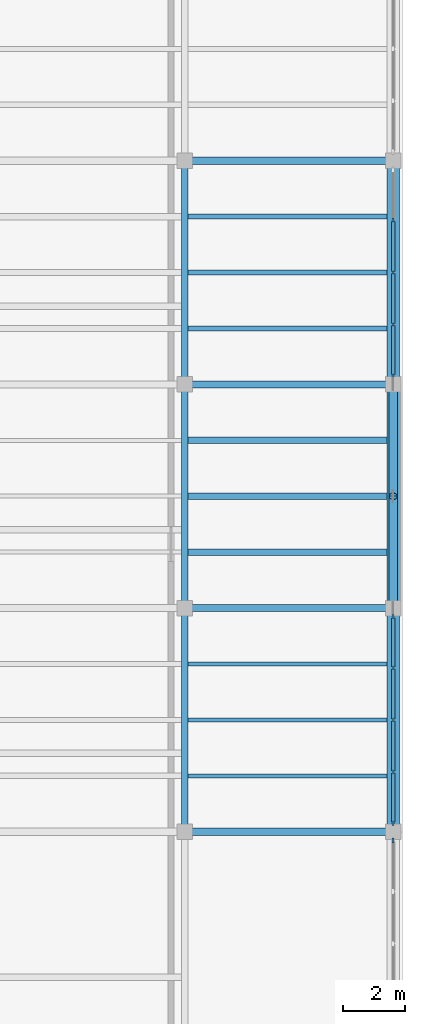
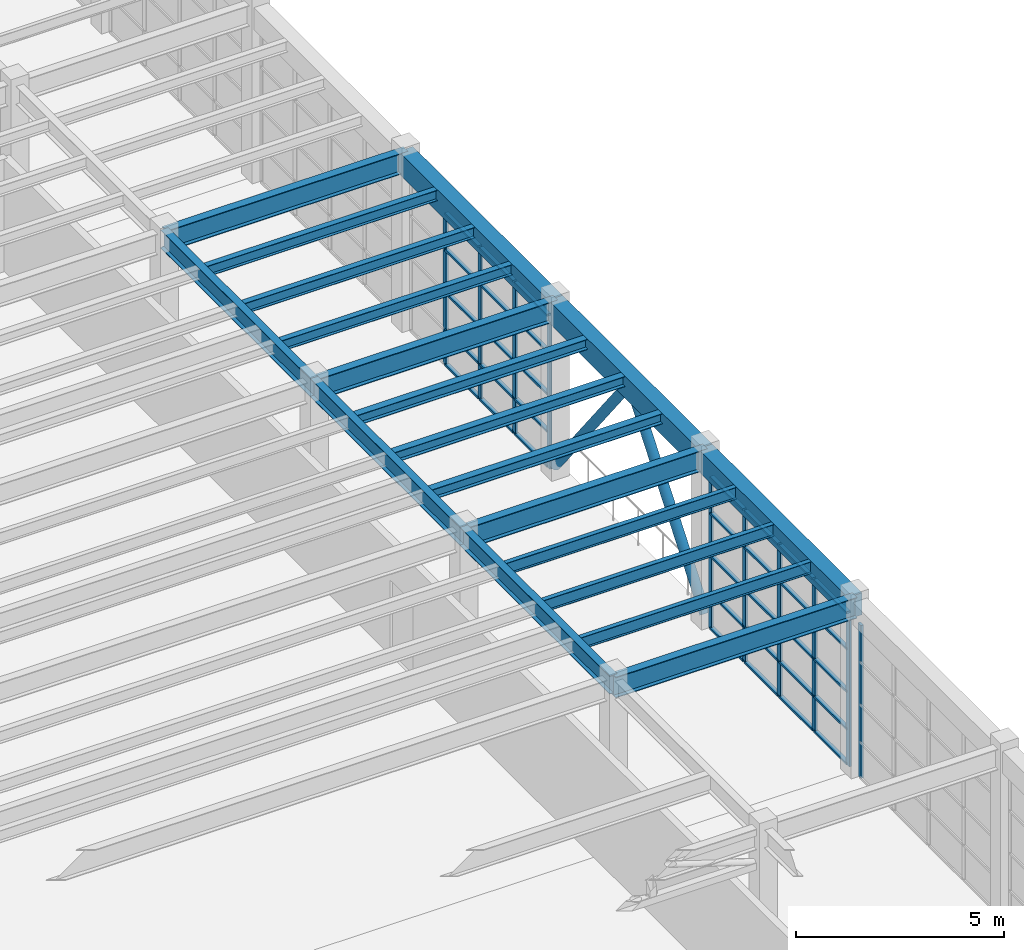
# One storey, part 55 of 103: 47 members, 19 beams, 3 elements without a shape of their own.
"""IFC4 building model written with IfcOpenShell, lengths in metres."""

from ifc_helpers import new_model, si_unit, direction, frame, origin, origin_2d, place, context, subcontext, project, spatial, rectangle, hollow_circle, i_section, extrude, material, layer, layer_set, material_profile, profile_set, type_object, element, aggregate, save


model = new_model("IFC4")

# Units and contexts
model_context = context("Model", 3, precision=1e-05, world=origin(), true_north=direction((0.0, 1.0)))
body_context = subcontext(model_context, "Body", "Model", "MODEL_VIEW")
ifc_project = project(units=[si_unit("LENGTHUNIT", "METRE"), si_unit("AREAUNIT", "SQUARE_METRE"), si_unit("VOLUMEUNIT", "CUBIC_METRE"), si_unit("PLANEANGLEUNIT", "RADIAN"), si_unit("MASSUNIT", "GRAM", prefix="KILO")], contexts=[model_context])

# Site, building, storey
site_placement = place(None, origin())
site = spatial("IfcSite", under=ifc_project, at=site_placement, CompositionType="ELEMENT")
building_placement = place(site_placement, origin())
building = spatial("IfcBuilding", under=site, at=building_placement, Name="Candilejo Ridge Gondola Terminal", CompositionType="ELEMENT")
storey_placement = place(building_placement, frame((0.0, 0.0, 9.0)))
storey = spatial("IfcBuildingStorey", under=building, at=storey_placement, Name="L02", CompositionType="ELEMENT", Elevation=9.0)

# Curtain wall, member
ifc_material_1 = material(Name="Anodised aluminium AA 6063-T6", Category="aluminium")
ifc_layer = layer(ifc_material_1, 0.169921875)
ifc_layer_set = layer_set([ifc_layer], Name="ARC-CW-TOWER-3000-670X449")
curtain_wall_type = type_object("IfcCurtainWallType", Name="ARC-CW-TOWER-3000-670X449", PredefinedType="NOTDEFINED", material=ifc_layer_set)
curtain_wall_1_placement = place(storey_placement, origin())
curtain_wall_1 = element("IfcCurtainWall", 1, at=curtain_wall_1_placement, inside=storey, type_object=curtain_wall_type, Name="Curtain wall V5 L02-179", PredefinedType="NOTDEFINED")
ifc_material_2 = material(Name="Anodised aluminium AA 6063-T6", Category="aluminium")
ifc_material_profile_1 = material_profile(ifc_material_2, rectangle(XDim=0.06494140625, YDim=0.14990234375, at=origin_2d()))
ifc_profile_set_1 = profile_set([ifc_material_profile_1], Name="Anodised aluminium AA 6063-T6")
member_type_1 = type_object("IfcMemberType", Name="ARC-CW-MULLION-150", PredefinedType="MULLION", material=ifc_profile_set_1)
member_1_placement = place(storey_placement, frame((175.300048828125, 69.967529296875, 0.0), z_axis=(0.0, 0.0, 1.0), x_axis=(-1.0, 0.0, 0.0)))
member_1 = element("IfcMember", 2, at=member_1_placement, type_object=member_type_1, Name="CW-67X44 mullion 5", PredefinedType="MULLION", context=body_context, shape_type="SweptSolid", body=[
    extrude(rectangle(XDim=0.06494140625, YDim=0.14990234375, at=origin_2d()), origin(), (0.0, 0.0, 1.0), 4.489990234375),
])
aggregate(curtain_wall_1, [member_1])

# Curtain wall, members
curtain_wall_2_placement = place(storey_placement, origin())
curtain_wall_2 = element("IfcCurtainWall", 3, at=curtain_wall_2_placement, inside=storey, type_object=curtain_wall_type, Name="Curtain wall V5 L02-181", PredefinedType="NOTDEFINED")
member_2_placement = place(storey_placement, frame((175.300048828125, 70.532470703125, 0.0), z_axis=(0.0, 0.0, 1.0), x_axis=(-1.0, 0.0, 0.0)))
member_2 = element("IfcMember", 4, at=member_2_placement, type_object=member_type_1, Name="CW-67X44 mullion 1", PredefinedType="MULLION", context=body_context, shape_type="SweptSolid", body=[
    extrude(rectangle(XDim=0.06494140625, YDim=0.14990234375, at=origin_2d()), origin(), (0.0, 0.0, 1.0), 4.489990234375),
])
member_3_placement = place(storey_placement, frame((175.300048828125, 72.175048828125, 0.0), z_axis=(0.0, 0.0, 1.0), x_axis=(-1.0, 0.0, 0.0)))
member_3 = element("IfcMember", 5, at=member_3_placement, type_object=member_type_1, Name="CW-67X44 mullion 2", PredefinedType="MULLION", context=body_context, shape_type="SweptSolid", body=[
    extrude(rectangle(XDim=0.06494140625, YDim=0.14990234375, at=origin_2d()), origin(), (0.0, 0.0, 1.0), 4.489990234375),
])
member_4_placement = place(storey_placement, frame((175.300048828125, 73.85009765625, 0.0), z_axis=(0.0, 0.0, 1.0), x_axis=(-1.0, 0.0, 0.0)))
member_4 = element("IfcMember", 6, at=member_4_placement, type_object=member_type_1, Name="CW-67X44 mullion 3", PredefinedType="MULLION", context=body_context, shape_type="SweptSolid", body=[
    extrude(rectangle(XDim=0.06494140625, YDim=0.14990234375, at=origin_2d()), origin(), (0.0, 0.0, 1.0), 4.489990234375),
])
member_5_placement = place(storey_placement, frame((175.300048828125, 75.52490234375, 0.0), z_axis=(0.0, 0.0, 1.0), x_axis=(-1.0, 0.0, 0.0)))
member_5 = element("IfcMember", 7, at=member_5_placement, type_object=member_type_1, Name="CW-67X44 mullion 4", PredefinedType="MULLION", context=body_context, shape_type="SweptSolid", body=[
    extrude(rectangle(XDim=0.06494140625, YDim=0.14990234375, at=origin_2d()), origin(), (0.0, 0.0, 1.0), 4.489990234375),
])
member_6_placement = place(storey_placement, frame((175.300048828125, 77.16748046875, 0.0), z_axis=(0.0, 0.0, 1.0), x_axis=(-1.0, 0.0, 0.0)))
member_6 = element("IfcMember", 8, at=member_6_placement, type_object=member_type_1, Name="CW-67X44 mullion 5", PredefinedType="MULLION", context=body_context, shape_type="SweptSolid", body=[
    extrude(rectangle(XDim=0.06494140625, YDim=0.14990234375, at=origin_2d()), origin(), (0.0, 0.0, 1.0), 4.489990234375),
])

curtain_wall_3_placement = place(storey_placement, origin())
curtain_wall_3 = element("IfcCurtainWall", 9, at=curtain_wall_3_placement, inside=storey, type_object=curtain_wall_type, Name="Curtain wall V5 L02-183", PredefinedType="NOTDEFINED")
member_7_placement = place(storey_placement, frame((175.300048828125, 84.9326171875, 0.0), z_axis=(0.0, 0.0, 1.0), x_axis=(-1.0, 0.0, 0.0)))
member_7 = element("IfcMember", 10, at=member_7_placement, type_object=member_type_1, Name="CW-67X44 mullion 1", PredefinedType="MULLION", context=body_context, shape_type="SweptSolid", body=[
    extrude(rectangle(XDim=0.06494140625, YDim=0.14990234375, at=origin_2d()), origin(), (0.0, 0.0, 1.0), 4.489990234375),
])
member_8_placement = place(storey_placement, frame((175.300048828125, 86.574951171875, 0.0), z_axis=(0.0, 0.0, 1.0), x_axis=(-1.0, 0.0, 0.0)))
member_8 = element("IfcMember", 11, at=member_8_placement, type_object=member_type_1, Name="CW-67X44 mullion 2", PredefinedType="MULLION", context=body_context, shape_type="SweptSolid", body=[
    extrude(rectangle(XDim=0.06494140625, YDim=0.14990234375, at=origin_2d()), origin(), (0.0, 0.0, 1.0), 4.489990234375),
])
member_9_placement = place(storey_placement, frame((175.300048828125, 88.25, 0.0), z_axis=(0.0, 0.0, 1.0), x_axis=(-1.0, 0.0, 0.0)))
member_9 = element("IfcMember", 12, at=member_9_placement, type_object=member_type_1, Name="CW-67X44 mullion 3", PredefinedType="MULLION", context=body_context, shape_type="SweptSolid", body=[
    extrude(rectangle(XDim=0.06494140625, YDim=0.14990234375, at=origin_2d()), origin(), (0.0, 0.0, 1.0), 4.489990234375),
])
member_10_placement = place(storey_placement, frame((175.300048828125, 89.925048828125, 0.0), z_axis=(0.0, 0.0, 1.0), x_axis=(-1.0, 0.0, 0.0)))
member_10 = element("IfcMember", 13, at=member_10_placement, type_object=member_type_1, Name="CW-67X44 mullion 4", PredefinedType="MULLION", context=body_context, shape_type="SweptSolid", body=[
    extrude(rectangle(XDim=0.06494140625, YDim=0.14990234375, at=origin_2d()), origin(), (0.0, 0.0, 1.0), 4.489990234375),
])

# Member
ifc_material_3 = material(Name="Anodised aluminium AA 6063-T6", Category="aluminium")
ifc_material_profile_2 = material_profile(ifc_material_3, rectangle(XDim=0.110107421875, YDim=0.06005859375, at=origin_2d()))
ifc_profile_set_2 = profile_set([ifc_material_profile_2], Name="Anodised aluminium AA 6063-T6")
member_type_2 = type_object("IfcMemberType", Name="ARC-CW-TRANSOM-110", PredefinedType="USERDEFINED", material=ifc_profile_set_2)
member_11_placement = place(storey_placement, frame((175.300048828125, 70.56494140625, 0.030029296875), z_axis=(0.0, 1.0, 0.0), x_axis=(-1.0, 0.0, 0.0)))
member_11 = element("IfcMember", 14, at=member_11_placement, type_object=member_type_2, Name="CW-67X44 transom 1.1", ObjectType="TRANSOM", PredefinedType="USERDEFINED", context=body_context, shape_type="SweptSolid", body=[
    extrude(rectangle(XDim=0.110107421875, YDim=0.06005859375, at=origin_2d()), origin(), (0.0, 0.0, 1.0), 1.57763671875),
])

member_12_placement = place(storey_placement, frame((175.300048828125, 70.56494140625, 1.050048828125), z_axis=(0.0, 1.0, 0.0), x_axis=(-1.0, 0.0, 0.0)))
member_12 = element("IfcMember", 15, at=member_12_placement, type_object=member_type_2, Name="CW-67X44 transom 1.2", ObjectType="TRANSOM", PredefinedType="USERDEFINED", context=body_context, shape_type="SweptSolid", body=[
    extrude(rectangle(XDim=0.110107421875, YDim=0.06005859375, at=origin_2d()), origin(), (0.0, 0.0, 1.0), 1.57763671875),
])

member_13_placement = place(storey_placement, frame((175.300048828125, 70.56494140625, 2.14990234375), z_axis=(0.0, 1.0, 0.0), x_axis=(-1.0, 0.0, 0.0)))
member_13 = element("IfcMember", 16, at=member_13_placement, type_object=member_type_2, Name="CW-67X44 transom 1.3", ObjectType="TRANSOM", PredefinedType="USERDEFINED", context=body_context, shape_type="SweptSolid", body=[
    extrude(rectangle(XDim=0.110107421875, YDim=0.06005859375, at=origin_2d()), origin(), (0.0, 0.0, 1.0), 1.57763671875),
])

member_14_placement = place(storey_placement, frame((175.300048828125, 70.56494140625, 3.39990234375), z_axis=(0.0, 1.0, 0.0), x_axis=(-1.0, 0.0, 0.0)))
member_14 = element("IfcMember", 17, at=member_14_placement, type_object=member_type_2, Name="CW-67X44 transom 1.4", ObjectType="TRANSOM", PredefinedType="USERDEFINED", context=body_context, shape_type="SweptSolid", body=[
    extrude(rectangle(XDim=0.110107421875, YDim=0.06005859375, at=origin_2d()), origin(), (0.0, 0.0, 1.0), 1.57763671875),
])

member_15_placement = place(storey_placement, frame((175.300048828125, 70.56494140625, 4.4599609375), z_axis=(0.0, 1.0, 0.0), x_axis=(-1.0, 0.0, 0.0)))
member_15 = element("IfcMember", 18, at=member_15_placement, type_object=member_type_2, Name="CW-67X44 transom 1.5", ObjectType="TRANSOM", PredefinedType="USERDEFINED", context=body_context, shape_type="SweptSolid", body=[
    extrude(rectangle(XDim=0.110107421875, YDim=0.06005859375, at=origin_2d()), origin(), (0.0, 0.0, 1.0), 1.57763671875),
])

member_16_placement = place(storey_placement, frame((175.300048828125, 72.20751953125, 0.030029296875), z_axis=(0.0, 1.0, 0.0), x_axis=(-1.0, 0.0, 0.0)))
member_16 = element("IfcMember", 19, at=member_16_placement, type_object=member_type_2, Name="CW-67X44 transom 2.1", ObjectType="TRANSOM", PredefinedType="USERDEFINED", context=body_context, shape_type="SweptSolid", body=[
    extrude(rectangle(XDim=0.110107421875, YDim=0.06005859375, at=origin_2d()), origin(), (0.0, 0.0, 1.0), 1.60986328125),
])

member_17_placement = place(storey_placement, frame((175.300048828125, 72.20751953125, 1.050048828125), z_axis=(0.0, 1.0, 0.0), x_axis=(-1.0, 0.0, 0.0)))
member_17 = element("IfcMember", 20, at=member_17_placement, type_object=member_type_2, Name="CW-67X44 transom 2.2", ObjectType="TRANSOM", PredefinedType="USERDEFINED", context=body_context, shape_type="SweptSolid", body=[
    extrude(rectangle(XDim=0.110107421875, YDim=0.06005859375, at=origin_2d()), origin(), (0.0, 0.0, 1.0), 1.60986328125),
])

member_18_placement = place(storey_placement, frame((175.300048828125, 72.20751953125, 2.14990234375), z_axis=(0.0, 1.0, 0.0), x_axis=(-1.0, 0.0, 0.0)))
member_18 = element("IfcMember", 21, at=member_18_placement, type_object=member_type_2, Name="CW-67X44 transom 2.3", ObjectType="TRANSOM", PredefinedType="USERDEFINED", context=body_context, shape_type="SweptSolid", body=[
    extrude(rectangle(XDim=0.110107421875, YDim=0.06005859375, at=origin_2d()), origin(), (0.0, 0.0, 1.0), 1.60986328125),
])

member_19_placement = place(storey_placement, frame((175.300048828125, 72.20751953125, 3.39990234375), z_axis=(0.0, 1.0, 0.0), x_axis=(-1.0, 0.0, 0.0)))
member_19 = element("IfcMember", 22, at=member_19_placement, type_object=member_type_2, Name="CW-67X44 transom 2.4", ObjectType="TRANSOM", PredefinedType="USERDEFINED", context=body_context, shape_type="SweptSolid", body=[
    extrude(rectangle(XDim=0.110107421875, YDim=0.06005859375, at=origin_2d()), origin(), (0.0, 0.0, 1.0), 1.60986328125),
])

member_20_placement = place(storey_placement, frame((175.300048828125, 72.20751953125, 4.4599609375), z_axis=(0.0, 1.0, 0.0), x_axis=(-1.0, 0.0, 0.0)))
member_20 = element("IfcMember", 23, at=member_20_placement, type_object=member_type_2, Name="CW-67X44 transom 2.5", ObjectType="TRANSOM", PredefinedType="USERDEFINED", context=body_context, shape_type="SweptSolid", body=[
    extrude(rectangle(XDim=0.110107421875, YDim=0.06005859375, at=origin_2d()), origin(), (0.0, 0.0, 1.0), 1.60986328125),
])

member_21_placement = place(storey_placement, frame((175.300048828125, 73.882568359375, 0.030029296875), z_axis=(0.0, 1.0, 0.0), x_axis=(-1.0, 0.0, 0.0)))
member_21 = element("IfcMember", 24, at=member_21_placement, type_object=member_type_2, Name="CW-67X44 transom 3.1", ObjectType="TRANSOM", PredefinedType="USERDEFINED", context=body_context, shape_type="SweptSolid", body=[
    extrude(rectangle(XDim=0.110107421875, YDim=0.06005859375, at=origin_2d()), origin(), (0.0, 0.0, 1.0), 1.60986328125),
])

member_22_placement = place(storey_placement, frame((175.300048828125, 73.882568359375, 1.050048828125), z_axis=(0.0, 1.0, 0.0), x_axis=(-1.0, 0.0, 0.0)))
member_22 = element("IfcMember", 25, at=member_22_placement, type_object=member_type_2, Name="CW-67X44 transom 3.2", ObjectType="TRANSOM", PredefinedType="USERDEFINED", context=body_context, shape_type="SweptSolid", body=[
    extrude(rectangle(XDim=0.110107421875, YDim=0.06005859375, at=origin_2d()), origin(), (0.0, 0.0, 1.0), 1.60986328125),
])

member_23_placement = place(storey_placement, frame((175.300048828125, 73.882568359375, 2.14990234375), z_axis=(0.0, 1.0, 0.0), x_axis=(-1.0, 0.0, 0.0)))
member_23 = element("IfcMember", 26, at=member_23_placement, type_object=member_type_2, Name="CW-67X44 transom 3.3", ObjectType="TRANSOM", PredefinedType="USERDEFINED", context=body_context, shape_type="SweptSolid", body=[
    extrude(rectangle(XDim=0.110107421875, YDim=0.06005859375, at=origin_2d()), origin(), (0.0, 0.0, 1.0), 1.60986328125),
])

member_24_placement = place(storey_placement, frame((175.300048828125, 73.882568359375, 3.39990234375), z_axis=(0.0, 1.0, 0.0), x_axis=(-1.0, 0.0, 0.0)))
member_24 = element("IfcMember", 27, at=member_24_placement, type_object=member_type_2, Name="CW-67X44 transom 3.4", ObjectType="TRANSOM", PredefinedType="USERDEFINED", context=body_context, shape_type="SweptSolid", body=[
    extrude(rectangle(XDim=0.110107421875, YDim=0.06005859375, at=origin_2d()), origin(), (0.0, 0.0, 1.0), 1.60986328125),
])

member_25_placement = place(storey_placement, frame((175.300048828125, 73.882568359375, 4.4599609375), z_axis=(0.0, 1.0, 0.0), x_axis=(-1.0, 0.0, 0.0)))
member_25 = element("IfcMember", 28, at=member_25_placement, type_object=member_type_2, Name="CW-67X44 transom 3.5", ObjectType="TRANSOM", PredefinedType="USERDEFINED", context=body_context, shape_type="SweptSolid", body=[
    extrude(rectangle(XDim=0.110107421875, YDim=0.06005859375, at=origin_2d()), origin(), (0.0, 0.0, 1.0), 1.60986328125),
])

member_26_placement = place(storey_placement, frame((175.300048828125, 75.5576171875, 0.030029296875), z_axis=(0.0, 1.0, 0.0), x_axis=(-1.0, 0.0, 0.0)))
member_26 = element("IfcMember", 29, at=member_26_placement, type_object=member_type_2, Name="CW-67X44 transom 4.1", ObjectType="TRANSOM", PredefinedType="USERDEFINED", context=body_context, shape_type="SweptSolid", body=[
    extrude(rectangle(XDim=0.110107421875, YDim=0.06005859375, at=origin_2d()), origin(), (0.0, 0.0, 1.0), 1.577392578125),
])

member_27_placement = place(storey_placement, frame((175.300048828125, 75.5576171875, 1.050048828125), z_axis=(0.0, 1.0, 0.0), x_axis=(-1.0, 0.0, 0.0)))
member_27 = element("IfcMember", 30, at=member_27_placement, type_object=member_type_2, Name="CW-67X44 transom 4.2", ObjectType="TRANSOM", PredefinedType="USERDEFINED", context=body_context, shape_type="SweptSolid", body=[
    extrude(rectangle(XDim=0.110107421875, YDim=0.06005859375, at=origin_2d()), origin(), (0.0, 0.0, 1.0), 1.577392578125),
])

member_28_placement = place(storey_placement, frame((175.300048828125, 75.5576171875, 2.14990234375), z_axis=(0.0, 1.0, 0.0), x_axis=(-1.0, 0.0, 0.0)))
member_28 = element("IfcMember", 31, at=member_28_placement, type_object=member_type_2, Name="CW-67X44 transom 4.3", ObjectType="TRANSOM", PredefinedType="USERDEFINED", context=body_context, shape_type="SweptSolid", body=[
    extrude(rectangle(XDim=0.110107421875, YDim=0.06005859375, at=origin_2d()), origin(), (0.0, 0.0, 1.0), 1.577392578125),
])

member_29_placement = place(storey_placement, frame((175.300048828125, 75.5576171875, 3.39990234375), z_axis=(0.0, 1.0, 0.0), x_axis=(-1.0, 0.0, 0.0)))
member_29 = element("IfcMember", 32, at=member_29_placement, type_object=member_type_2, Name="CW-67X44 transom 4.4", ObjectType="TRANSOM", PredefinedType="USERDEFINED", context=body_context, shape_type="SweptSolid", body=[
    extrude(rectangle(XDim=0.110107421875, YDim=0.06005859375, at=origin_2d()), origin(), (0.0, 0.0, 1.0), 1.577392578125),
])

member_30_placement = place(storey_placement, frame((175.300048828125, 75.5576171875, 4.4599609375), z_axis=(0.0, 1.0, 0.0), x_axis=(-1.0, 0.0, 0.0)))
member_30 = element("IfcMember", 33, at=member_30_placement, type_object=member_type_2, Name="CW-67X44 transom 4.5", ObjectType="TRANSOM", PredefinedType="USERDEFINED", context=body_context, shape_type="SweptSolid", body=[
    extrude(rectangle(XDim=0.110107421875, YDim=0.06005859375, at=origin_2d()), origin(), (0.0, 0.0, 1.0), 1.577392578125),
])

aggregate(curtain_wall_2, [member_2, member_3, member_4, member_5, member_6, member_11, member_12, member_13, member_14, member_15, member_16, member_17, member_18, member_19, member_20, member_21, member_22, member_23, member_24, member_25, member_26, member_27, member_28, member_29, member_30])

member_31_placement = place(storey_placement, frame((175.300048828125, 84.965087890625, 0.030029296875), z_axis=(0.0, 1.0, 0.0), x_axis=(-1.0, 0.0, 0.0)))
member_31 = element("IfcMember", 34, at=member_31_placement, type_object=member_type_2, Name="CW-67X44 transom 1.1", ObjectType="TRANSOM", PredefinedType="USERDEFINED", context=body_context, shape_type="SweptSolid", body=[
    extrude(rectangle(XDim=0.110107421875, YDim=0.06005859375, at=origin_2d()), origin(), (0.0, 0.0, 1.0), 1.577392578125),
])

member_32_placement = place(storey_placement, frame((175.300048828125, 84.965087890625, 1.050048828125), z_axis=(0.0, 1.0, 0.0), x_axis=(-1.0, 0.0, 0.0)))
member_32 = element("IfcMember", 35, at=member_32_placement, type_object=member_type_2, Name="CW-67X44 transom 1.2", ObjectType="TRANSOM", PredefinedType="USERDEFINED", context=body_context, shape_type="SweptSolid", body=[
    extrude(rectangle(XDim=0.110107421875, YDim=0.06005859375, at=origin_2d()), origin(), (0.0, 0.0, 1.0), 1.577392578125),
])

member_33_placement = place(storey_placement, frame((175.300048828125, 84.965087890625, 2.14990234375), z_axis=(0.0, 1.0, 0.0), x_axis=(-1.0, 0.0, 0.0)))
member_33 = element("IfcMember", 36, at=member_33_placement, type_object=member_type_2, Name="CW-67X44 transom 1.3", ObjectType="TRANSOM", PredefinedType="USERDEFINED", context=body_context, shape_type="SweptSolid", body=[
    extrude(rectangle(XDim=0.110107421875, YDim=0.06005859375, at=origin_2d()), origin(), (0.0, 0.0, 1.0), 1.577392578125),
])

member_34_placement = place(storey_placement, frame((175.300048828125, 84.965087890625, 3.39990234375), z_axis=(0.0, 1.0, 0.0), x_axis=(-1.0, 0.0, 0.0)))
member_34 = element("IfcMember", 37, at=member_34_placement, type_object=member_type_2, Name="CW-67X44 transom 1.4", ObjectType="TRANSOM", PredefinedType="USERDEFINED", context=body_context, shape_type="SweptSolid", body=[
    extrude(rectangle(XDim=0.110107421875, YDim=0.06005859375, at=origin_2d()), origin(), (0.0, 0.0, 1.0), 1.577392578125),
])

member_35_placement = place(storey_placement, frame((175.300048828125, 84.965087890625, 4.4599609375), z_axis=(0.0, 1.0, 0.0), x_axis=(-1.0, 0.0, 0.0)))
member_35 = element("IfcMember", 38, at=member_35_placement, type_object=member_type_2, Name="CW-67X44 transom 1.5", ObjectType="TRANSOM", PredefinedType="USERDEFINED", context=body_context, shape_type="SweptSolid", body=[
    extrude(rectangle(XDim=0.110107421875, YDim=0.06005859375, at=origin_2d()), origin(), (0.0, 0.0, 1.0), 1.577392578125),
])

member_36_placement = place(storey_placement, frame((175.300048828125, 86.607421875, 0.030029296875), z_axis=(0.0, 1.0, 0.0), x_axis=(-1.0, 0.0, 0.0)))
member_36 = element("IfcMember", 39, at=member_36_placement, type_object=member_type_2, Name="CW-67X44 transom 2.1", ObjectType="TRANSOM", PredefinedType="USERDEFINED", context=body_context, shape_type="SweptSolid", body=[
    extrude(rectangle(XDim=0.110107421875, YDim=0.06005859375, at=origin_2d()), origin(), (0.0, 0.0, 1.0), 1.610107421875),
])

member_37_placement = place(storey_placement, frame((175.300048828125, 86.607421875, 1.050048828125), z_axis=(0.0, 1.0, 0.0), x_axis=(-1.0, 0.0, 0.0)))
member_37 = element("IfcMember", 40, at=member_37_placement, type_object=member_type_2, Name="CW-67X44 transom 2.2", ObjectType="TRANSOM", PredefinedType="USERDEFINED", context=body_context, shape_type="SweptSolid", body=[
    extrude(rectangle(XDim=0.110107421875, YDim=0.06005859375, at=origin_2d()), origin(), (0.0, 0.0, 1.0), 1.610107421875),
])

member_38_placement = place(storey_placement, frame((175.300048828125, 86.607421875, 2.14990234375), z_axis=(0.0, 1.0, 0.0), x_axis=(-1.0, 0.0, 0.0)))
member_38 = element("IfcMember", 41, at=member_38_placement, type_object=member_type_2, Name="CW-67X44 transom 2.3", ObjectType="TRANSOM", PredefinedType="USERDEFINED", context=body_context, shape_type="SweptSolid", body=[
    extrude(rectangle(XDim=0.110107421875, YDim=0.06005859375, at=origin_2d()), origin(), (0.0, 0.0, 1.0), 1.610107421875),
])

member_39_placement = place(storey_placement, frame((175.300048828125, 86.607421875, 3.39990234375), z_axis=(0.0, 1.0, 0.0), x_axis=(-1.0, 0.0, 0.0)))
member_39 = element("IfcMember", 42, at=member_39_placement, type_object=member_type_2, Name="CW-67X44 transom 2.4", ObjectType="TRANSOM", PredefinedType="USERDEFINED", context=body_context, shape_type="SweptSolid", body=[
    extrude(rectangle(XDim=0.110107421875, YDim=0.06005859375, at=origin_2d()), origin(), (0.0, 0.0, 1.0), 1.610107421875),
])

member_40_placement = place(storey_placement, frame((175.300048828125, 86.607421875, 4.4599609375), z_axis=(0.0, 1.0, 0.0), x_axis=(-1.0, 0.0, 0.0)))
member_40 = element("IfcMember", 43, at=member_40_placement, type_object=member_type_2, Name="CW-67X44 transom 2.5", ObjectType="TRANSOM", PredefinedType="USERDEFINED", context=body_context, shape_type="SweptSolid", body=[
    extrude(rectangle(XDim=0.110107421875, YDim=0.06005859375, at=origin_2d()), origin(), (0.0, 0.0, 1.0), 1.610107421875),
])

member_41_placement = place(storey_placement, frame((175.300048828125, 88.282470703125, 0.030029296875), z_axis=(0.0, 1.0, 0.0), x_axis=(-1.0, 0.0, 0.0)))
member_41 = element("IfcMember", 44, at=member_41_placement, type_object=member_type_2, Name="CW-67X44 transom 3.1", ObjectType="TRANSOM", PredefinedType="USERDEFINED", context=body_context, shape_type="SweptSolid", body=[
    extrude(rectangle(XDim=0.110107421875, YDim=0.06005859375, at=origin_2d()), origin(), (0.0, 0.0, 1.0), 1.610107421875),
])

member_42_placement = place(storey_placement, frame((175.300048828125, 88.282470703125, 1.050048828125), z_axis=(0.0, 1.0, 0.0), x_axis=(-1.0, 0.0, 0.0)))
member_42 = element("IfcMember", 45, at=member_42_placement, type_object=member_type_2, Name="CW-67X44 transom 3.2", ObjectType="TRANSOM", PredefinedType="USERDEFINED", context=body_context, shape_type="SweptSolid", body=[
    extrude(rectangle(XDim=0.110107421875, YDim=0.06005859375, at=origin_2d()), origin(), (0.0, 0.0, 1.0), 1.610107421875),
])

member_43_placement = place(storey_placement, frame((175.300048828125, 88.282470703125, 2.14990234375), z_axis=(0.0, 1.0, 0.0), x_axis=(-1.0, 0.0, 0.0)))
member_43 = element("IfcMember", 46, at=member_43_placement, type_object=member_type_2, Name="CW-67X44 transom 3.3", ObjectType="TRANSOM", PredefinedType="USERDEFINED", context=body_context, shape_type="SweptSolid", body=[
    extrude(rectangle(XDim=0.110107421875, YDim=0.06005859375, at=origin_2d()), origin(), (0.0, 0.0, 1.0), 1.610107421875),
])

member_44_placement = place(storey_placement, frame((175.300048828125, 88.282470703125, 3.39990234375), z_axis=(0.0, 1.0, 0.0), x_axis=(-1.0, 0.0, 0.0)))
member_44 = element("IfcMember", 47, at=member_44_placement, type_object=member_type_2, Name="CW-67X44 transom 3.4", ObjectType="TRANSOM", PredefinedType="USERDEFINED", context=body_context, shape_type="SweptSolid", body=[
    extrude(rectangle(XDim=0.110107421875, YDim=0.06005859375, at=origin_2d()), origin(), (0.0, 0.0, 1.0), 1.610107421875),
])

member_45_placement = place(storey_placement, frame((175.300048828125, 88.282470703125, 4.4599609375), z_axis=(0.0, 1.0, 0.0), x_axis=(-1.0, 0.0, 0.0)))
member_45 = element("IfcMember", 48, at=member_45_placement, type_object=member_type_2, Name="CW-67X44 transom 3.5", ObjectType="TRANSOM", PredefinedType="USERDEFINED", context=body_context, shape_type="SweptSolid", body=[
    extrude(rectangle(XDim=0.110107421875, YDim=0.06005859375, at=origin_2d()), origin(), (0.0, 0.0, 1.0), 1.610107421875),
])

aggregate(curtain_wall_3, [member_7, member_8, member_9, member_10, member_31, member_32, member_33, member_34, member_35, member_36, member_37, member_38, member_39, member_40, member_41, member_42, member_43, member_44, member_45])

# Beams
ifc_material_4 = material(Name="Steel ASTM A992 Grade 50", Category="steel")
ifc_material_profile_3 = material_profile(ifc_material_4, i_section(OverallWidth=0.208984375, OverallDepth=0.532958984375, WebThickness=0.01025390625, FlangeThickness=0.015625, at=origin_2d()))
ifc_profile_set_3 = profile_set([ifc_material_profile_3], Name="Steel ASTM A992 Grade 50")
beam_type_1 = type_object("IfcBeamType", Name="STR-BM-W530X92", PredefinedType="BEAM", material=ifc_profile_set_3)
for number, where, z_axis, x_axis, name in (
    (49, (168.60009765625, 70.25, 4.8935546875), (0.0, 1.0, 0.0), (-1.0, 0.0, 0.0), "Beam Y V5 L02 Y13-Y14@X25"),
    (50, (168.60009765625, 77.449951171875, 4.8935546875), (0.0, 1.0, 0.0), (-1.0, 0.0, 0.0), "Beam Y V5 L02 Y14-Y15@X25"),
):
    element("IfcBeam", number, at=place(storey_placement, frame(where, z_axis=z_axis, x_axis=x_axis)), inside=storey, type_object=beam_type_1, Name=name, PredefinedType="BEAM", context=body_context, shape_type="SweptSolid", body=[
        extrude(i_section(OverallWidth=0.208984375, OverallDepth=0.532958984375, WebThickness=0.01025390625, FlangeThickness=0.015625, at=origin_2d()), origin(), (0.0, 0.0, 1.0), 7.199951171875),
    ])
beam_1_placement = place(storey_placement, frame((168.60009765625, 84.64990234375, 4.8935546875), z_axis=(0.0, 1.0, 0.0), x_axis=(-1.0, 0.0, 0.0)))
element("IfcBeam", 51, at=beam_1_placement, inside=storey, type_object=beam_type_1, Name="Beam Y V5 L02 Y15-Y16@X25", PredefinedType="BEAM", context=body_context, shape_type="SweptSolid", body=[
    extrude(i_section(OverallWidth=0.208984375, OverallDepth=0.532958984375, WebThickness=0.01025390625, FlangeThickness=0.015625, at=origin_2d()), origin(), (0.0, 0.0, 1.0), 7.2001953125),
])
ifc_material_5 = material(Name="Steel ASTM A992 Grade 50", Category="steel")
ifc_material_profile_4 = material_profile(ifc_material_5, i_section(OverallWidth=0.22900390625, OverallDepth=0.612060546875, WebThickness=0.011962890625, FlangeThickness=0.01953125, at=origin_2d()))
ifc_profile_set_4 = profile_set([ifc_material_profile_4], Name="Steel ASTM A992 Grade 50")
beam_type_2 = type_object("IfcBeamType", Name="STR-BM-W610X125", PredefinedType="BEAM", material=ifc_profile_set_4)
for number, where, z_axis, x_axis, name in (
    (52, (168.60009765625, 70.25, 4.85400390625), (1.0, 0.0, 0.0), (0.0, 1.0, 0.0), "Beam X V5 L02 X25-X27@Y13"),
    (53, (168.60009765625, 77.449951171875, 4.85400390625), (1.0, 0.0, 0.0), (0.0, 1.0, 0.0), "Beam X V5 L02 X25-X27@Y14"),
    (54, (168.60009765625, 84.64990234375, 4.85400390625), (1.0, 0.0, 0.0), (0.0, 1.0, 0.0), "Beam X V5 L02 X25-X27@Y15"),
    (55, (168.60009765625, 91.85009765625, 4.85400390625), (1.0, 0.0, 0.0), (0.0, 1.0, 0.0), "Beam X V5 L02 X25-X27@Y16"),
):
    element("IfcBeam", number, at=place(storey_placement, frame(where, z_axis=z_axis, x_axis=x_axis)), inside=storey, type_object=beam_type_2, Name=name, PredefinedType="BEAM", context=body_context, shape_type="SweptSolid", body=[
        extrude(i_section(OverallWidth=0.22900390625, OverallDepth=0.612060546875, WebThickness=0.011962890625, FlangeThickness=0.01953125, at=origin_2d()), origin(), (0.0, 0.0, 1.0), 6.699951171875),
    ])

# Members
ifc_material_6 = material(Name="Steel ASTM A500 Grade C", Category="steel")
ifc_material_profile_5 = material_profile(ifc_material_6, hollow_circle(Radius=0.136474609375, WallThickness=0.00927734375, at=origin_2d()))
ifc_profile_set_5 = profile_set([ifc_material_profile_5], Name="Steel ASTM A500 Grade C")
member_type_3 = type_object("IfcMemberType", Name="STR-BRC-CHS273", PredefinedType="BRACE", material=ifc_profile_set_5)
for number, where, z_axis, x_axis, name in (
    (56, (175.300048828125, 77.449951171875, 0.25), (0.0, 0.617569973039, 0.786515942878), (-1.0, 0.0, 0.0), "Chevron brace V5 L02-11A"),
    (57, (175.300048828125, 84.64990234375, 0.25), (0.0, -0.617544064445, 0.786536285539), (1.0, 0.0, 0.0), "Chevron brace V5 L02-11B"),
):
    element("IfcMember", number, at=place(storey_placement, frame(where, z_axis=z_axis, x_axis=x_axis)), inside=storey, type_object=member_type_3, Name=name, PredefinedType="BRACE", context=body_context, shape_type="SweptSolid", body=[
        extrude(hollow_circle(Radius=0.136474609375, WallThickness=0.00927734375, at=origin_2d()), origin(), (0.0, 0.0, 1.0), 5.829345703125),
    ])

# Beams
ifc_material_7 = material(Name="Steel ASTM A992 Grade 50", Category="steel")
ifc_material_profile_6 = material_profile(ifc_material_7, i_section(OverallWidth=0.166015625, OverallDepth=0.31298828125, WebThickness=0.006591796875, FlangeThickness=0.01123046875, at=origin_2d()))
ifc_profile_set_6 = profile_set([ifc_material_profile_6], Name="Steel ASTM A992 Grade 50")
beam_type_3 = type_object("IfcBeamType", Name="STR-JST-W310X44", PredefinedType="JOIST", material=ifc_profile_set_6)
for number, where, z_axis, x_axis, name in (
    (58, (168.70458984375, 86.449951171875, 5.00341796875), (1.0, 0.0, 0.0), (0.0, 1.0, 0.0), "Composite joist V5 L02-1329"),
    (59, (168.70458984375, 88.25, 5.00341796875), (1.0, 0.0, 0.0), (0.0, 1.0, 0.0), "Composite joist V5 L02-1330"),
    (60, (168.70458984375, 90.050048828125, 5.00341796875), (1.0, 0.0, 0.0), (0.0, 1.0, 0.0), "Composite joist V5 L02-1331"),
):
    element("IfcBeam", number, at=place(storey_placement, frame(where, z_axis=z_axis, x_axis=x_axis)), inside=storey, type_object=beam_type_3, Name=name, PredefinedType="JOIST", context=body_context, shape_type="SweptSolid", body=[
        extrude(i_section(OverallWidth=0.166015625, OverallDepth=0.31298828125, WebThickness=0.006591796875, FlangeThickness=0.01123046875, at=origin_2d()), origin(), (0.0, 0.0, 1.0), 6.3955078125),
    ])
ifc_material_8 = material(Name="Steel ASTM A992 Grade 50", Category="steel")
ifc_material_profile_7 = material_profile(ifc_material_8, i_section(OverallWidth=0.202880859375, OverallDepth=0.302978515625, WebThickness=0.007568359375, FlangeThickness=0.01318359375, at=origin_2d()))
ifc_profile_set_7 = profile_set([ifc_material_profile_7], Name="Steel ASTM A992 Grade 50")
beam_type_4 = type_object("IfcBeamType", Name="STR-JST-W310X60", PredefinedType="JOIST", material=ifc_profile_set_7)
for number, where, z_axis, x_axis, name in (
    (61, (168.70458984375, 79.25, 5.008544921875), (1.0, 0.0, 0.0), (0.0, 1.0, 0.0), "Composite joist V5 L02-1326"),
    (62, (168.70458984375, 81.050048828125, 5.008544921875), (1.0, 0.0, 0.0), (0.0, 1.0, 0.0), "Composite joist V5 L02-1327"),
    (63, (168.70458984375, 82.85009765625, 5.008544921875), (1.0, 0.0, 0.0), (0.0, 1.0, 0.0), "Composite joist V5 L02-1328"),
):
    element("IfcBeam", number, at=place(storey_placement, frame(where, z_axis=z_axis, x_axis=x_axis)), inside=storey, type_object=beam_type_4, Name=name, PredefinedType="JOIST", context=body_context, shape_type="SweptSolid", body=[
        extrude(i_section(OverallWidth=0.202880859375, OverallDepth=0.302978515625, WebThickness=0.007568359375, FlangeThickness=0.01318359375, at=origin_2d()), origin(), (0.0, 0.0, 1.0), 6.3955078125),
    ])
ifc_material_9 = material(Name="Steel ASTM A992 Grade 50", Category="steel")
ifc_material_profile_8 = material_profile(ifc_material_9, i_section(OverallWidth=0.1279296875, OverallDepth=0.35302734375, WebThickness=0.006591796875, FlangeThickness=0.0107421875, at=origin_2d()))
ifc_profile_set_8 = profile_set([ifc_material_profile_8], Name="Steel ASTM A992 Grade 50")
beam_type_5 = type_object("IfcBeamType", Name="STR-JST-W360X39", PredefinedType="JOIST", material=ifc_profile_set_8)
for number, where, z_axis, x_axis, name in (
    (64, (168.70458984375, 72.050048828125, 4.9833984375), (1.0, 0.0, 0.0), (0.0, 1.0, 0.0), "Composite joist V5 L02-1323"),
    (65, (168.70458984375, 73.85009765625, 4.9833984375), (1.0, 0.0, 0.0), (0.0, 1.0, 0.0), "Composite joist V5 L02-1324"),
    (66, (168.70458984375, 75.64990234375, 4.9833984375), (1.0, 0.0, 0.0), (0.0, 1.0, 0.0), "Composite joist V5 L02-1325"),
):
    element("IfcBeam", number, at=place(storey_placement, frame(where, z_axis=z_axis, x_axis=x_axis)), inside=storey, type_object=beam_type_5, Name=name, PredefinedType="JOIST", context=body_context, shape_type="SweptSolid", body=[
        extrude(i_section(OverallWidth=0.1279296875, OverallDepth=0.35302734375, WebThickness=0.006591796875, FlangeThickness=0.0107421875, at=origin_2d()), origin(), (0.0, 0.0, 1.0), 6.3955078125),
    ])
ifc_material_10 = material(Name="Concrete f'c 35 MPa (C35/45)", Category="concrete")
ifc_material_profile_9 = material_profile(ifc_material_10, rectangle(XDim=0.39990234375, YDim=0.64990234375, at=origin_2d()))
ifc_profile_set_9 = profile_set([ifc_material_profile_9], Name="Concrete f'c 35 MPa (C35/45)")
beam_type_6 = type_object("IfcBeamType", Name="STR-SPN-RC400X650", PredefinedType="SPANDREL", material=ifc_profile_set_9)
for number, where, z_axis, x_axis, name in (
    (67, (175.300048828125, 70.25, 4.8349609375), (0.0, 1.0, 0.0), (-1.0, 0.0, 0.0), "Beam Y V5 L02 Y13-Y14@X27"),
    (68, (175.300048828125, 77.449951171875, 4.8349609375), (0.0, 1.0, 0.0), (-1.0, 0.0, 0.0), "Beam Y V5 L02 Y14-Y15@X27"),
):
    element("IfcBeam", number, at=place(storey_placement, frame(where, z_axis=z_axis, x_axis=x_axis)), inside=storey, type_object=beam_type_6, Name=name, PredefinedType="SPANDREL", context=body_context, shape_type="SweptSolid", body=[
        extrude(rectangle(XDim=0.39990234375, YDim=0.64990234375, at=origin_2d()), origin(), (0.0, 0.0, 1.0), 7.199951171875),
    ])
beam_2_placement = place(storey_placement, frame((175.300048828125, 84.64990234375, 4.8349609375), z_axis=(0.0, 1.0, 0.0), x_axis=(-1.0, 0.0, 0.0)))
element("IfcBeam", 69, at=beam_2_placement, inside=storey, type_object=beam_type_6, Name="Beam Y V5 L02 Y15-Y16@X27", PredefinedType="SPANDREL", context=body_context, shape_type="SweptSolid", body=[
    extrude(rectangle(XDim=0.39990234375, YDim=0.64990234375, at=origin_2d()), origin(), (0.0, 0.0, 1.0), 7.2001953125),
])

save(model, "model.ifc")
